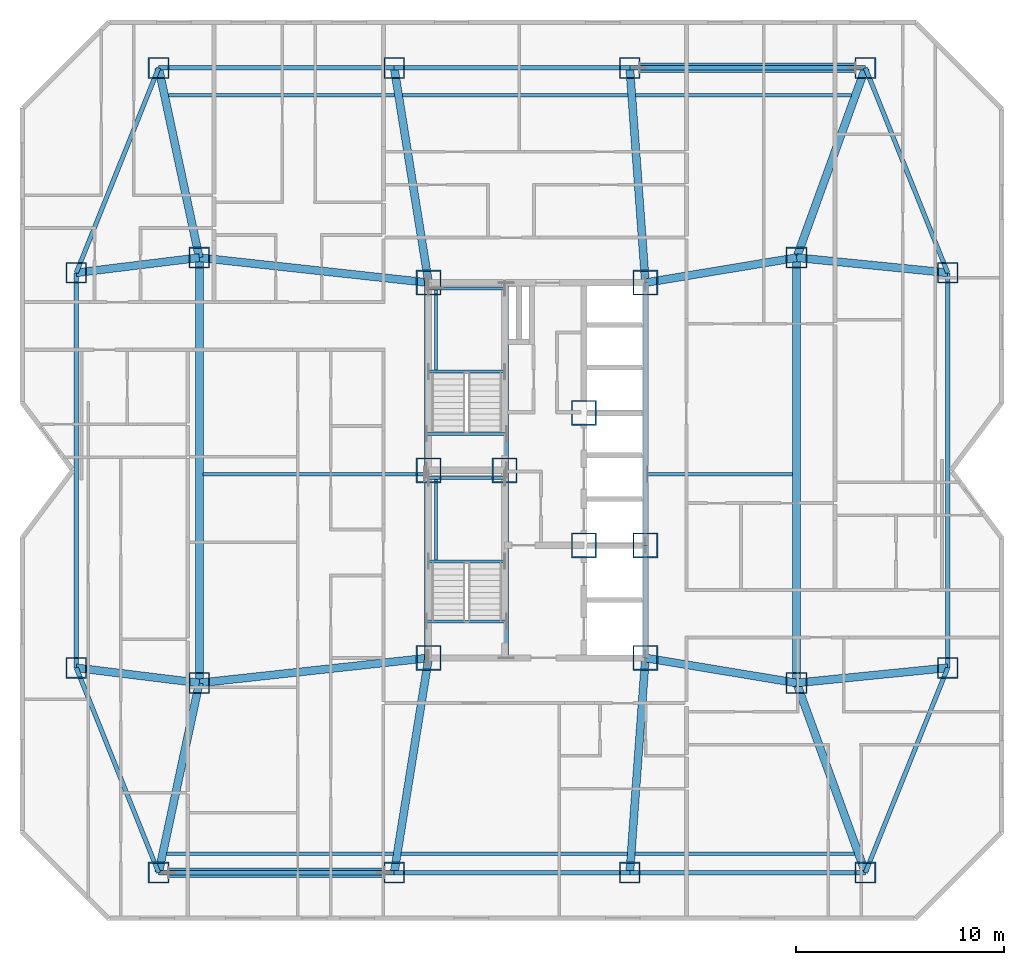
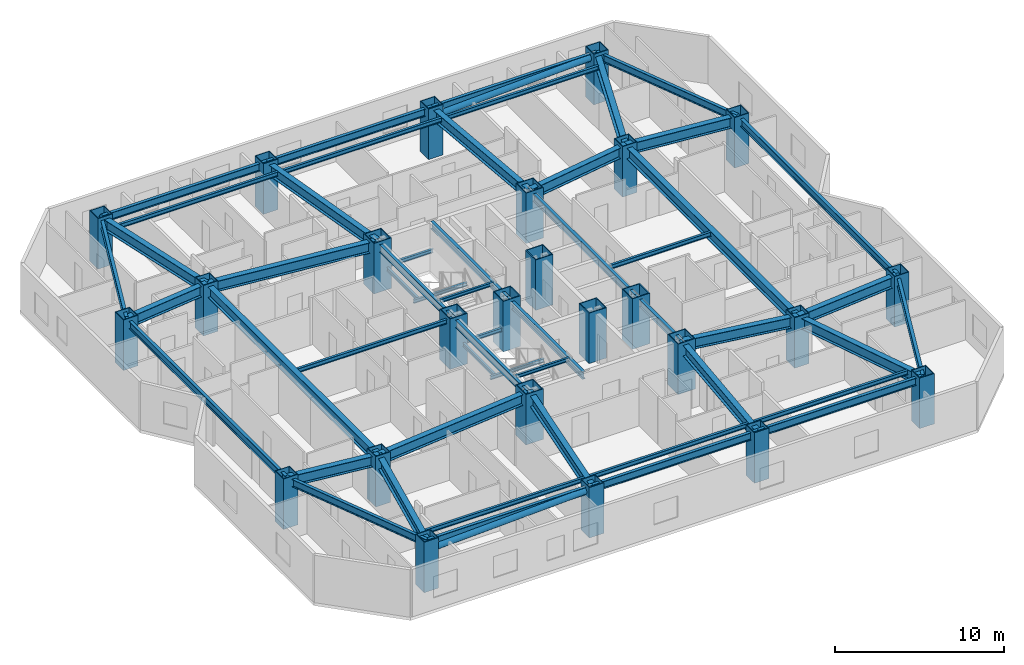
# One storey, part 1 of 12: 52 beams, 25 columns, 2 members.
"""IFC4 building model written with IfcOpenShell, lengths in metres."""

from ifc_helpers import new_model, si_unit, direction, frame, origin, origin_2d, place, context, subcontext, project, spatial, hollow_rectangle, hollow_circle, i_section, extrude, material, material_profile, profile_set, type_object, element, save


model = new_model("IFC4")

# Units and contexts
model_context = context("Model", 3, precision=1e-05, world=origin(), true_north=direction((0.0, 1.0)))
body_context = subcontext(model_context, "Body", "Model", "MODEL_VIEW")
ifc_project = project(units=[si_unit("LENGTHUNIT", "METRE"), si_unit("AREAUNIT", "SQUARE_METRE"), si_unit("VOLUMEUNIT", "CUBIC_METRE"), si_unit("PLANEANGLEUNIT", "RADIAN"), si_unit("MASSUNIT", "GRAM", prefix="KILO")], contexts=[model_context])

# Site, building, storey
site_placement = place(None, origin())
site = spatial("IfcSite", under=ifc_project, at=site_placement, CompositionType="ELEMENT")
building_placement = place(site_placement, origin())
building = spatial("IfcBuilding", under=site, at=building_placement, Name="Khamvora Tower", CompositionType="ELEMENT")
storey_placement = place(building_placement, frame((0.0, 0.0, 127.449951171875)))
storey = spatial("IfcBuildingStorey", under=building, at=storey_placement, Name="L32", CompositionType="ELEMENT", Elevation=127.449951171875)

# Columns
ifc_material_1 = material(Name="Steel S355", Category="steel")
ifc_material_profile_1 = material_profile(ifc_material_1, hollow_rectangle(XDim=1.0, YDim=1.0, WallThickness=0.050048828125, at=origin_2d()), Name="BOX1000x1000x50")
ifc_profile_set_1 = profile_set([ifc_material_profile_1], Name="Steel S355")
column_type_1 = type_object("IfcColumnType", Name="COL-BOX1000", PredefinedType="COLUMN", material=ifc_profile_set_1)
for number, where, z_axis, x_axis, name in (
    (1, (16.050048828125, 8.699951171875, 0.0), (0.0, 0.0, 1.0), (1.0, 0.0, 0.0), "L32 structural frame column S1"),
    (2, (27.35009765625, 8.699951171875, 0.0), (0.0, 0.0, 1.0), (1.0, 0.0, 0.0), "L32 structural frame column S2"),
    (3, (38.64990234375, 8.699951171875, 0.0), (0.0, 0.0, 1.0), (1.0, 0.0, 0.0), "L32 structural frame column S3"),
    (4, (49.949951171875, 8.699951171875, 0.0), (0.0, 0.0, 1.0), (1.0, 0.0, 0.0), "L32 structural frame column S4"),
    (5, (16.050048828125, 47.300048828125, 0.0), (0.0, 0.0, 1.0), (1.0, 0.0, 0.0), "L32 structural frame column N1"),
    (6, (27.35009765625, 47.300048828125, 0.0), (0.0, 0.0, 1.0), (1.0, 0.0, 0.0), "L32 structural frame column N2"),
    (7, (38.64990234375, 47.300048828125, 0.0), (0.0, 0.0, 1.0), (1.0, 0.0, 0.0), "L32 structural frame column N3"),
    (8, (49.949951171875, 47.300048828125, 0.0), (0.0, 0.0, 1.0), (1.0, 0.0, 0.0), "L32 structural frame column N4"),
    (9, (12.10009765625, 18.52490234375, 0.0), (0.0, 0.0, 1.0), (1.0, 0.0, 0.0), "L32 structural frame column W1"),
    (10, (12.10009765625, 37.47509765625, 0.0), (0.0, 0.0, 1.0), (1.0, 0.0, 0.0), "L32 structural frame column W2"),
    (11, (53.89990234375, 18.52490234375, 0.0), (0.0, 0.0, 1.0), (1.0, 0.0, 0.0), "L32 structural frame column E1"),
    (12, (53.89990234375, 37.47509765625, 0.0), (0.0, 0.0, 1.0), (1.0, 0.0, 0.0), "L32 structural frame column E2"),
    (13, (18.0, 17.800048828125, 0.0), (0.0, 0.0, 1.0), (1.0, 0.0, 0.0), "L32 structural frame column MW1"),
    (14, (18.0, 38.199951171875, 0.0), (0.0, 0.0, 1.0), (1.0, 0.0, 0.0), "L32 structural frame column MW2"),
    (15, (46.64990234375, 17.800048828125, 0.0), (0.0, 0.0, 1.0), (1.0, 0.0, 0.0), "L32 structural frame column M1"),
    (16, (46.64990234375, 38.199951171875, 0.0), (0.0, 0.0, 1.0), (1.0, 0.0, 0.0), "L32 structural frame column M2"),
):
    element("IfcColumn", number, at=place(storey_placement, frame(where, z_axis=z_axis, x_axis=x_axis)), inside=storey, type_object=column_type_1, Name=name, PredefinedType="COLUMN", context=body_context, shape_type="SweptSolid", body=[
        extrude(hollow_rectangle(XDim=1.0, YDim=1.0, WallThickness=0.050048828125, at=origin_2d()), origin(), (0.0, 0.0, 1.0), 3.650146484375),
    ])
ifc_material_2 = material(Name="Steel S460", Category="steel")
ifc_material_profile_2 = material_profile(ifc_material_2, hollow_rectangle(XDim=1.199951171875, YDim=1.199951171875, WallThickness=0.06005859375, at=origin_2d()), Name="BOX1200x1200x60")
ifc_profile_set_2 = profile_set([ifc_material_profile_2], Name="Steel S460")
column_type_2 = type_object("IfcColumnType", Name="COL-BOX1200", PredefinedType="COLUMN", material=ifc_profile_set_2)
for number, where, z_axis, x_axis, name in (
    (17, (29.0, 19.0, 0.0), (0.0, 0.0, 1.0), (1.0, 0.0, 0.0), "L32 plumb core spine column SC1"),
    (18, (32.64990234375, 28.0, 0.0), (0.0, 0.0, 1.0), (1.0, 0.0, 0.0), "L32 plumb core spine column SC2"),
    (19, (39.39990234375, 19.0, 0.0), (0.0, 0.0, 1.0), (1.0, 0.0, 0.0), "L32 plumb core spine column SC3"),
    (20, (29.0, 28.0, 0.0), (0.0, 0.0, 1.0), (1.0, 0.0, 0.0), "L32 plumb core spine column SC4"),
    (21, (36.449951171875, 24.39990234375, 0.0), (0.0, 0.0, 1.0), (1.0, 0.0, 0.0), "L32 plumb core spine column SC5"),
    (22, (39.39990234375, 24.39990234375, 0.0), (0.0, 0.0, 1.0), (1.0, 0.0, 0.0), "L32 plumb core spine column SC6"),
    (23, (29.0, 37.0, 0.0), (0.0, 0.0, 1.0), (1.0, 0.0, 0.0), "L32 plumb core spine column SC7"),
    (24, (36.449951171875, 30.75, 0.0), (0.0, 0.0, 1.0), (1.0, 0.0, 0.0), "L32 plumb core spine column SC8"),
    (25, (39.39990234375, 37.0, 0.0), (0.0, 0.0, 1.0), (1.0, 0.0, 0.0), "L32 plumb core spine column SC9"),
):
    element("IfcColumn", number, at=place(storey_placement, frame(where, z_axis=z_axis, x_axis=x_axis)), inside=storey, type_object=column_type_2, Name=name, PredefinedType="COLUMN", context=body_context, shape_type="SweptSolid", body=[
        extrude(hollow_rectangle(XDim=1.199951171875, YDim=1.199951171875, WallThickness=0.06005859375, at=origin_2d()), origin(), (0.0, 0.0, 1.0), 3.650146484375),
    ])

# Beams
ifc_material_profile_3 = material_profile(ifc_material_1, i_section(OverallWidth=0.166015625, OverallDepth=0.31298828125, WebThickness=0.007080078125, FlangeThickness=0.010986328125, FilletRadius=0.010009765625, at=origin_2d()), Name="W310x45")
ifc_profile_set_3 = profile_set([ifc_material_profile_3], Name="Steel S355")
beam_type_1 = type_object("IfcBeamType", Name="BM-JS-W310x45", PredefinedType="JOIST", material=ifc_profile_set_3)
beam_1_placement = place(storey_placement, frame((16.43310546875, 9.60009765625, 3.274169921875), z_axis=(1.0, 0.0, 0.0), x_axis=(0.0, 1.0, 0.0)))
element("IfcBeam", 26, at=beam_1_placement, inside=storey, type_object=beam_type_1, Name="L32 secondary floor joist 01", PredefinedType="JOIST", context=body_context, shape_type="SweptSolid", body=[
    extrude(i_section(OverallWidth=0.166015625, OverallDepth=0.31298828125, WebThickness=0.007080078125, FlangeThickness=0.010986328125, FilletRadius=0.010009765625, at=origin_2d()), origin(), (0.0, 0.0, 1.0), 10.872802734375),
])
beam_2_placement = place(storey_placement, frame((27.681884765625, 9.60009765625, 3.274169921875), z_axis=(1.0, 0.0, 0.0), x_axis=(0.0, 1.0, 0.0)))
element("IfcBeam", 27, at=beam_2_placement, inside=storey, type_object=beam_type_1, Name="L32 secondary floor joist 02", PredefinedType="JOIST", context=body_context, shape_type="SweptSolid", body=[
    extrude(i_section(OverallWidth=0.166015625, OverallDepth=0.31298828125, WebThickness=0.007080078125, FlangeThickness=0.010986328125, FilletRadius=0.010009765625, at=origin_2d()), origin(), (0.0, 0.0, 1.0), 10.84814453125),
])
beam_3_placement = place(storey_placement, frame((38.902099609375, 9.60009765625, 3.274169921875), z_axis=(1.0, 0.0, 0.0), x_axis=(0.0, 1.0, 0.0)))
element("IfcBeam", 28, at=beam_3_placement, inside=storey, type_object=beam_type_1, Name="L32 secondary floor joist 03", PredefinedType="JOIST", context=body_context, shape_type="SweptSolid", body=[
    extrude(i_section(OverallWidth=0.166015625, OverallDepth=0.31298828125, WebThickness=0.007080078125, FlangeThickness=0.010986328125, FilletRadius=0.010009765625, at=origin_2d()), origin(), (0.0, 0.0, 1.0), 10.52392578125),
])
beam_4_placement = place(storey_placement, frame((18.18603515625, 27.800048828125, 3.274169921875), z_axis=(1.0, 0.0, 0.0), x_axis=(0.0, 1.0, 0.0)))
element("IfcBeam", 29, at=beam_4_placement, inside=storey, type_object=beam_type_1, Name="L32 secondary floor joist 04", PredefinedType="JOIST", context=body_context, shape_type="SweptSolid", body=[
    extrude(i_section(OverallWidth=0.166015625, OverallDepth=0.31298828125, WebThickness=0.007080078125, FlangeThickness=0.010986328125, FilletRadius=0.010009765625, at=origin_2d()), origin(), (0.0, 0.0, 1.0), 10.614013671875),
])
beam_5_placement = place(storey_placement, frame((39.4990234375, 27.800048828125, 3.274169921875), z_axis=(1.0, 0.0, 0.0), x_axis=(0.0, 1.0, 0.0)))
element("IfcBeam", 30, at=beam_5_placement, inside=storey, type_object=beam_type_1, Name="L32 secondary floor joist 05", PredefinedType="JOIST", context=body_context, shape_type="SweptSolid", body=[
    extrude(i_section(OverallWidth=0.166015625, OverallDepth=0.31298828125, WebThickness=0.007080078125, FlangeThickness=0.010986328125, FilletRadius=0.010009765625, at=origin_2d()), origin(), (0.0, 0.0, 1.0), 6.966064453125),
])
beam_6_placement = place(storey_placement, frame((16.51806640625, 46.0, 3.274169921875), z_axis=(1.0, 0.0, 0.0), x_axis=(0.0, 1.0, 0.0)))
element("IfcBeam", 31, at=beam_6_placement, inside=storey, type_object=beam_type_1, Name="L32 secondary floor joist 06", PredefinedType="JOIST", context=body_context, shape_type="SweptSolid", body=[
    extrude(i_section(OverallWidth=0.166015625, OverallDepth=0.31298828125, WebThickness=0.007080078125, FlangeThickness=0.010986328125, FilletRadius=0.010009765625, at=origin_2d()), origin(), (0.0, 0.0, 1.0), 10.85205078125),
])
beam_7_placement = place(storey_placement, frame((27.74609375, 46.0, 3.274169921875), z_axis=(1.0, 0.0, 0.0), x_axis=(0.0, 1.0, 0.0)))
element("IfcBeam", 32, at=beam_7_placement, inside=storey, type_object=beam_type_1, Name="L32 secondary floor joist 07", PredefinedType="JOIST", context=body_context, shape_type="SweptSolid", body=[
    extrude(i_section(OverallWidth=0.166015625, OverallDepth=0.31298828125, WebThickness=0.007080078125, FlangeThickness=0.010986328125, FilletRadius=0.010009765625, at=origin_2d()), origin(), (0.0, 0.0, 1.0), 10.81298828125),
])
beam_8_placement = place(storey_placement, frame((38.930908203125, 46.0, 3.274169921875), z_axis=(1.0, 0.0, 0.0), x_axis=(0.0, 1.0, 0.0)))
element("IfcBeam", 33, at=beam_8_placement, inside=storey, type_object=beam_type_1, Name="L32 secondary floor joist 08", PredefinedType="JOIST", context=body_context, shape_type="SweptSolid", body=[
    extrude(i_section(OverallWidth=0.166015625, OverallDepth=0.31298828125, WebThickness=0.007080078125, FlangeThickness=0.010986328125, FilletRadius=0.010009765625, at=origin_2d()), origin(), (0.0, 0.0, 1.0), 10.35009765625),
])
ifc_material_profile_4 = material_profile(ifc_material_1, i_section(OverallWidth=0.14697265625, OverallDepth=0.261962890625, WebThickness=0.007080078125, FlangeThickness=0.010986328125, FilletRadius=0.008056640625, at=origin_2d()), Name="W250x39")
ifc_profile_set_4 = profile_set([ifc_material_profile_4], Name="Steel S355")
beam_type_2 = type_object("IfcBeamType", Name="BM-LN-W250x39", PredefinedType="LINTEL", material=ifc_profile_set_4)
for number, where, z_axis, x_axis, name in (
    (34, (29.0, 23.635009765625, 1.494140625), (1.0, 0.0, 0.0), (0.0, 1.0, 0.0), "L32 ST-01 half-landing support beam 1.1"),
    (35, (29.0, 27.6298828125, 1.494140625), (1.0, 0.0, 0.0), (0.0, 1.0, 0.0), "L32 ST-01 half-landing support beam 1.2"),
):
    element("IfcBeam", number, at=place(storey_placement, frame(where, z_axis=z_axis, x_axis=x_axis)), inside=storey, type_object=beam_type_2, Name=name, PredefinedType="LINTEL", context=body_context, shape_type="SweptSolid", body=[
        extrude(i_section(OverallWidth=0.14697265625, OverallDepth=0.261962890625, WebThickness=0.007080078125, FlangeThickness=0.010986328125, FilletRadius=0.008056640625, at=origin_2d()), origin(), (0.0, 0.0, 1.0), 3.64990234375),
    ])
beam_9_placement = place(storey_placement, frame((29.35009765625, 23.635009765625, 1.494140625), z_axis=(0.0, 1.0, 0.0), x_axis=(-1.0, 0.0, 0.0)))
element("IfcBeam", 36, at=beam_9_placement, inside=storey, type_object=beam_type_2, Name="L32 ST-01 half-landing edge stringer 1", PredefinedType="LINTEL", context=body_context, shape_type="SweptSolid", body=[
    extrude(i_section(OverallWidth=0.14697265625, OverallDepth=0.261962890625, WebThickness=0.007080078125, FlangeThickness=0.010986328125, FilletRadius=0.008056640625, at=origin_2d()), origin(), (0.0, 0.0, 1.0), 3.994873046875),
])
for number, where, z_axis, x_axis, name in (
    (37, (29.0, 32.735107421875, 1.494140625), (1.0, 0.0, 0.0), (0.0, 1.0, 0.0), "L32 ST-02 half-landing support beam 1.1"),
    (38, (29.0, 36.72998046875, 1.494140625), (1.0, 0.0, 0.0), (0.0, 1.0, 0.0), "L32 ST-02 half-landing support beam 1.2"),
):
    element("IfcBeam", number, at=place(storey_placement, frame(where, z_axis=z_axis, x_axis=x_axis)), inside=storey, type_object=beam_type_2, Name=name, PredefinedType="LINTEL", context=body_context, shape_type="SweptSolid", body=[
        extrude(i_section(OverallWidth=0.14697265625, OverallDepth=0.261962890625, WebThickness=0.007080078125, FlangeThickness=0.010986328125, FilletRadius=0.008056640625, at=origin_2d()), origin(), (0.0, 0.0, 1.0), 3.64990234375),
    ])
beam_10_placement = place(storey_placement, frame((29.35009765625, 32.735107421875, 1.494140625), z_axis=(0.0, 1.0, 0.0), x_axis=(-1.0, 0.0, 0.0)))
element("IfcBeam", 39, at=beam_10_placement, inside=storey, type_object=beam_type_2, Name="L32 ST-02 half-landing edge stringer 1", PredefinedType="LINTEL", context=body_context, shape_type="SweptSolid", body=[
    extrude(i_section(OverallWidth=0.14697265625, OverallDepth=0.261962890625, WebThickness=0.007080078125, FlangeThickness=0.010986328125, FilletRadius=0.008056640625, at=origin_2d()), origin(), (0.0, 0.0, 1.0), 3.994873046875),
])
for number, where, z_axis, x_axis, name in (
    (40, (28.89990234375, 20.75, 3.303955078125), (1.0, 0.0, 0.0), (0.0, 1.0, 0.0), "L32 exit stair ST-01 landing trimmer beam"),
    (41, (28.89990234375, 29.75, 3.303955078125), (1.0, 0.0, 0.0), (0.0, 1.0, 0.0), "L32 exit stair ST-02 landing trimmer beam"),
):
    element("IfcBeam", number, at=place(storey_placement, frame(where, z_axis=z_axis, x_axis=x_axis)), inside=storey, type_object=beam_type_2, Name=name, PredefinedType="LINTEL", context=body_context, shape_type="SweptSolid", body=[
        extrude(i_section(OverallWidth=0.14697265625, OverallDepth=0.261962890625, WebThickness=0.007080078125, FlangeThickness=0.010986328125, FilletRadius=0.008056640625, at=origin_2d()), origin(), (0.0, 0.0, 1.0), 3.830078125),
    ])
ifc_material_profile_5 = material_profile(ifc_material_1, i_section(OverallWidth=0.381103515625, OverallDepth=0.77294921875, WebThickness=0.01708984375, FlangeThickness=0.027099609375, FilletRadius=0.01806640625, at=origin_2d()), Name="W760x257")
ifc_profile_set_5 = profile_set([ifc_material_profile_5], Name="Steel S355")
beam_type_3 = type_object("IfcBeamType", Name="BM-PG-W760x257", PredefinedType="BEAM", material=ifc_profile_set_5)
for number, where, z_axis, x_axis, name in (
    (42, (46.64990234375, 17.800048828125, 3.04296875), (0.0, 1.0, 0.0), (-1.0, 0.0, 0.0), "L32 longitudinal frame girder M1-M2"),
    (43, (18.0, 17.800048828125, 3.04296875), (0.0, 1.0, 0.0), (-1.0, 0.0, 0.0), "L32 longitudinal frame girder MW1-MW2"),
):
    element("IfcBeam", number, at=place(storey_placement, frame(where, z_axis=z_axis, x_axis=x_axis)), inside=storey, type_object=beam_type_3, Name=name, PredefinedType="BEAM", context=body_context, shape_type="SweptSolid", body=[
        extrude(i_section(OverallWidth=0.381103515625, OverallDepth=0.77294921875, WebThickness=0.01708984375, FlangeThickness=0.027099609375, FilletRadius=0.01806640625, at=origin_2d()), origin(), (0.0, 0.0, 1.0), 20.39990234375),
    ])
beam_11_placement = place(storey_placement, frame((18.0, 17.800048828125, 3.04296875), z_axis=(-0.209521922673, -0.977803949634, 0.0), x_axis=(0.977803949634, -0.209521922673, 0.0)))
element("IfcBeam", 44, at=beam_11_placement, inside=storey, type_object=beam_type_3, Name="L32 primary floor girder S1", PredefinedType="BEAM", context=body_context, shape_type="SweptSolid", body=[
    extrude(i_section(OverallWidth=0.381103515625, OverallDepth=0.77294921875, WebThickness=0.01708984375, FlangeThickness=0.027099609375, FilletRadius=0.01806640625, at=origin_2d()), origin(), (0.0, 0.0, 1.0), 9.306640625),
])
beam_12_placement = place(storey_placement, frame((29.0, 19.0, 3.04296875), z_axis=(-0.158167584066, -0.987412282358, 0.0), x_axis=(0.987412282358, -0.158167584066, 0.0)))
element("IfcBeam", 45, at=beam_12_placement, inside=storey, type_object=beam_type_3, Name="L32 primary floor girder S2", PredefinedType="BEAM", context=body_context, shape_type="SweptSolid", body=[
    extrude(i_section(OverallWidth=0.381103515625, OverallDepth=0.77294921875, WebThickness=0.01708984375, FlangeThickness=0.027099609375, FilletRadius=0.01806640625, at=origin_2d()), origin(), (0.0, 0.0, 1.0), 10.431396484375),
])
beam_13_placement = place(storey_placement, frame((39.39990234375, 19.0, 3.04296875), z_axis=(-0.07262291808, -0.997359469685, 0.0), x_axis=(0.997359469685, -0.07262291808, 0.0)))
element("IfcBeam", 46, at=beam_13_placement, inside=storey, type_object=beam_type_3, Name="L32 primary floor girder S3", PredefinedType="BEAM", context=body_context, shape_type="SweptSolid", body=[
    extrude(i_section(OverallWidth=0.381103515625, OverallDepth=0.77294921875, WebThickness=0.01708984375, FlangeThickness=0.027099609375, FilletRadius=0.01806640625, at=origin_2d()), origin(), (0.0, 0.0, 1.0), 10.327392578125),
])
beam_14_placement = place(storey_placement, frame((46.64990234375, 17.800048828125, 3.04296875), z_axis=(0.340914681567, -0.940094239899, 0.0), x_axis=(0.940094239899, 0.340914681567, 0.0)))
element("IfcBeam", 47, at=beam_14_placement, inside=storey, type_object=beam_type_3, Name="L32 primary floor girder S4", PredefinedType="BEAM", context=body_context, shape_type="SweptSolid", body=[
    extrude(i_section(OverallWidth=0.381103515625, OverallDepth=0.77294921875, WebThickness=0.01708984375, FlangeThickness=0.027099609375, FilletRadius=0.01806640625, at=origin_2d()), origin(), (0.0, 0.0, 1.0), 9.679931640625),
])
beam_15_placement = place(storey_placement, frame((18.0, 38.199951171875, 3.04296875), z_axis=(-0.209521922673, 0.977803949634, 0.0), x_axis=(-0.977803949634, -0.209521922673, 0.0)))
element("IfcBeam", 48, at=beam_15_placement, inside=storey, type_object=beam_type_3, Name="L32 primary floor girder N1", PredefinedType="BEAM", context=body_context, shape_type="SweptSolid", body=[
    extrude(i_section(OverallWidth=0.381103515625, OverallDepth=0.77294921875, WebThickness=0.01708984375, FlangeThickness=0.027099609375, FilletRadius=0.01806640625, at=origin_2d()), origin(), (0.0, 0.0, 1.0), 9.306640625),
])
beam_16_placement = place(storey_placement, frame((29.0, 37.0, 3.04296875), z_axis=(-0.158167584066, 0.987412282358, 0.0), x_axis=(-0.987412282358, -0.158167584066, 0.0)))
element("IfcBeam", 49, at=beam_16_placement, inside=storey, type_object=beam_type_3, Name="L32 primary floor girder N2", PredefinedType="BEAM", context=body_context, shape_type="SweptSolid", body=[
    extrude(i_section(OverallWidth=0.381103515625, OverallDepth=0.77294921875, WebThickness=0.01708984375, FlangeThickness=0.027099609375, FilletRadius=0.01806640625, at=origin_2d()), origin(), (0.0, 0.0, 1.0), 10.431396484375),
])
beam_17_placement = place(storey_placement, frame((39.39990234375, 37.0, 3.04296875), z_axis=(-0.07262291808, 0.997359469685, 0.0), x_axis=(-0.997359469685, -0.07262291808, 0.0)))
element("IfcBeam", 50, at=beam_17_placement, inside=storey, type_object=beam_type_3, Name="L32 primary floor girder N3", PredefinedType="BEAM", context=body_context, shape_type="SweptSolid", body=[
    extrude(i_section(OverallWidth=0.381103515625, OverallDepth=0.77294921875, WebThickness=0.01708984375, FlangeThickness=0.027099609375, FilletRadius=0.01806640625, at=origin_2d()), origin(), (0.0, 0.0, 1.0), 10.327392578125),
])
beam_18_placement = place(storey_placement, frame((46.64990234375, 38.199951171875, 3.04296875), z_axis=(0.340914681567, 0.940094239899, 0.0), x_axis=(-0.940094239899, 0.340914681567, 0.0)))
element("IfcBeam", 51, at=beam_18_placement, inside=storey, type_object=beam_type_3, Name="L32 primary floor girder N4", PredefinedType="BEAM", context=body_context, shape_type="SweptSolid", body=[
    extrude(i_section(OverallWidth=0.381103515625, OverallDepth=0.77294921875, WebThickness=0.01708984375, FlangeThickness=0.027099609375, FilletRadius=0.01806640625, at=origin_2d()), origin(), (0.0, 0.0, 1.0), 9.679931640625),
])
for number, where, z_axis, x_axis, name in (
    (52, (18.0, 17.800048828125, 3.04296875), (-0.992537264608, 0.12194170068, 0.0), (-0.12194170068, -0.992537264608, 0.0), "L32 primary floor girder W1"),
    (53, (18.0, 38.199951171875, 3.04296875), (-0.992537264608, -0.12194170068, 0.0), (0.12194170068, -0.992537264608, 0.0), "L32 primary floor girder W2"),
):
    element("IfcBeam", number, at=place(storey_placement, frame(where, z_axis=z_axis, x_axis=x_axis)), inside=storey, type_object=beam_type_3, Name=name, PredefinedType="BEAM", context=body_context, shape_type="SweptSolid", body=[
        extrude(i_section(OverallWidth=0.381103515625, OverallDepth=0.77294921875, WebThickness=0.01708984375, FlangeThickness=0.027099609375, FilletRadius=0.01806640625, at=origin_2d()), origin(), (0.0, 0.0, 1.0), 5.9443359375),
    ])
for number, where, z_axis, x_axis, name in (
    (54, (46.64990234375, 17.800048828125, 3.04296875), (0.995039180556, 0.099483813546, 0.0), (-0.099483813546, 0.995039180556, 0.0), "L32 primary floor girder E1"),
    (55, (46.64990234375, 38.199951171875, 3.04296875), (0.995039180556, -0.099483813546, 0.0), (0.099483813546, 0.995039180556, 0.0), "L32 primary floor girder E2"),
):
    element("IfcBeam", number, at=place(storey_placement, frame(where, z_axis=z_axis, x_axis=x_axis)), inside=storey, type_object=beam_type_3, Name=name, PredefinedType="BEAM", context=body_context, shape_type="SweptSolid", body=[
        extrude(i_section(OverallWidth=0.381103515625, OverallDepth=0.77294921875, WebThickness=0.01708984375, FlangeThickness=0.027099609375, FilletRadius=0.01806640625, at=origin_2d()), origin(), (0.0, 0.0, 1.0), 7.2861328125),
    ])
for number, where, z_axis, x_axis, name in (
    (56, (29.0, 19.0, 3.04296875), (-0.994102652327, -0.108443149329, 0.0), (0.108443149329, -0.994102652327, 0.0), "L32 primary floor girder MW1"),
    (57, (29.0, 37.0, 3.04296875), (-0.994102652327, 0.108443149329, 0.0), (-0.108443149329, -0.994102652327, 0.0), "L32 primary floor girder MW2"),
):
    element("IfcBeam", number, at=place(storey_placement, frame(where, z_axis=z_axis, x_axis=x_axis)), inside=storey, type_object=beam_type_3, Name=name, PredefinedType="BEAM", context=body_context, shape_type="SweptSolid", body=[
        extrude(i_section(OverallWidth=0.381103515625, OverallDepth=0.77294921875, WebThickness=0.01708984375, FlangeThickness=0.027099609375, FilletRadius=0.01806640625, at=origin_2d()), origin(), (0.0, 0.0, 1.0), 11.065185546875),
    ])
for number, where, z_axis, x_axis, name in (
    (58, (39.39990234375, 19.0, 3.04296875), (0.986578268552, -0.163289068896, 0.0), (0.163289068896, 0.986578268552, 0.0), "L32 primary floor girder M1"),
    (59, (39.39990234375, 37.0, 3.04296875), (0.986578268552, 0.163289068896, 0.0), (-0.163289068896, 0.986578268552, 0.0), "L32 primary floor girder M2"),
):
    element("IfcBeam", number, at=place(storey_placement, frame(where, z_axis=z_axis, x_axis=x_axis)), inside=storey, type_object=beam_type_3, Name=name, PredefinedType="BEAM", context=body_context, shape_type="SweptSolid", body=[
        extrude(i_section(OverallWidth=0.381103515625, OverallDepth=0.77294921875, WebThickness=0.01708984375, FlangeThickness=0.027099609375, FilletRadius=0.01806640625, at=origin_2d()), origin(), (0.0, 0.0, 1.0), 7.3486328125),
    ])
ifc_material_profile_6 = material_profile(ifc_material_1, i_section(OverallWidth=0.2119140625, OverallDepth=0.5439453125, WebThickness=0.012939453125, FlangeThickness=0.02099609375, FilletRadius=0.013916015625, at=origin_2d()), Name="W530x123")
ifc_profile_set_6 = profile_set([ifc_material_profile_6], Name="Steel S355")
beam_type_4 = type_object("IfcBeamType", Name="BM-SP-W530x123", PredefinedType="SPANDREL", material=ifc_profile_set_6)
beam_19_placement = place(storey_placement, frame((12.10009765625, 18.52490234375, 3.157958984375), z_axis=(0.373015921536, -0.927824941614, 0.0), x_axis=(0.927824941614, 0.373015921536, 0.0)))
element("IfcBeam", 60, at=beam_19_placement, inside=storey, type_object=beam_type_4, Name="L32 perimeter spandrel beam W1-S1", PredefinedType="SPANDREL", context=body_context, shape_type="SweptSolid", body=[
    extrude(i_section(OverallWidth=0.2119140625, OverallDepth=0.5439453125, WebThickness=0.012939453125, FlangeThickness=0.02099609375, FilletRadius=0.013916015625, at=origin_2d()), origin(), (0.0, 0.0, 1.0), 10.589111328125),
])
beam_20_placement = place(storey_placement, frame((16.050048828125, 8.699951171875, 3.157958984375), z_axis=(1.0, 0.0, 0.0), x_axis=(0.0, 1.0, 0.0)))
element("IfcBeam", 61, at=beam_20_placement, inside=storey, type_object=beam_type_4, Name="L32 perimeter spandrel beam S1-S2", PredefinedType="SPANDREL", context=body_context, shape_type="SweptSolid", body=[
    extrude(i_section(OverallWidth=0.2119140625, OverallDepth=0.5439453125, WebThickness=0.012939453125, FlangeThickness=0.02099609375, FilletRadius=0.013916015625, at=origin_2d()), origin(), (0.0, 0.0, 1.0), 11.300048828125),
])
beam_21_placement = place(storey_placement, frame((27.35009765625, 8.699951171875, 3.157958984375), z_axis=(1.0, 0.0, 0.0), x_axis=(0.0, 1.0, 0.0)))
element("IfcBeam", 62, at=beam_21_placement, inside=storey, type_object=beam_type_4, Name="L32 perimeter spandrel beam S2-S3", PredefinedType="SPANDREL", context=body_context, shape_type="SweptSolid", body=[
    extrude(i_section(OverallWidth=0.2119140625, OverallDepth=0.5439453125, WebThickness=0.012939453125, FlangeThickness=0.02099609375, FilletRadius=0.013916015625, at=origin_2d()), origin(), (0.0, 0.0, 1.0), 11.2998046875),
])
beam_22_placement = place(storey_placement, frame((38.64990234375, 8.699951171875, 3.157958984375), z_axis=(1.0, 0.0, 0.0), x_axis=(0.0, 1.0, 0.0)))
element("IfcBeam", 63, at=beam_22_placement, inside=storey, type_object=beam_type_4, Name="L32 perimeter spandrel beam S3-S4", PredefinedType="SPANDREL", context=body_context, shape_type="SweptSolid", body=[
    extrude(i_section(OverallWidth=0.2119140625, OverallDepth=0.5439453125, WebThickness=0.012939453125, FlangeThickness=0.02099609375, FilletRadius=0.013916015625, at=origin_2d()), origin(), (0.0, 0.0, 1.0), 11.300048828125),
])
beam_23_placement = place(storey_placement, frame((49.949951171875, 8.699951171875, 3.157958984375), z_axis=(0.373015921536, 0.927824941614, 0.0), x_axis=(-0.927824941614, 0.373015921536, 0.0)))
element("IfcBeam", 64, at=beam_23_placement, inside=storey, type_object=beam_type_4, Name="L32 perimeter spandrel beam S4-E1", PredefinedType="SPANDREL", context=body_context, shape_type="SweptSolid", body=[
    extrude(i_section(OverallWidth=0.2119140625, OverallDepth=0.5439453125, WebThickness=0.012939453125, FlangeThickness=0.02099609375, FilletRadius=0.013916015625, at=origin_2d()), origin(), (0.0, 0.0, 1.0), 10.589111328125),
])
beam_24_placement = place(storey_placement, frame((53.89990234375, 18.52490234375, 3.157958984375), z_axis=(0.0, 1.0, 0.0), x_axis=(-1.0, 0.0, 0.0)))
element("IfcBeam", 65, at=beam_24_placement, inside=storey, type_object=beam_type_4, Name="L32 perimeter spandrel beam E1-E2", PredefinedType="SPANDREL", context=body_context, shape_type="SweptSolid", body=[
    extrude(i_section(OverallWidth=0.2119140625, OverallDepth=0.5439453125, WebThickness=0.012939453125, FlangeThickness=0.02099609375, FilletRadius=0.013916015625, at=origin_2d()), origin(), (0.0, 0.0, 1.0), 18.9501953125),
])
beam_25_placement = place(storey_placement, frame((53.89990234375, 37.47509765625, 3.157958984375), z_axis=(-0.373015921536, 0.927824941614, 0.0), x_axis=(-0.927824941614, -0.373015921536, 0.0)))
element("IfcBeam", 66, at=beam_25_placement, inside=storey, type_object=beam_type_4, Name="L32 perimeter spandrel beam E2-N4", PredefinedType="SPANDREL", context=body_context, shape_type="SweptSolid", body=[
    extrude(i_section(OverallWidth=0.2119140625, OverallDepth=0.5439453125, WebThickness=0.012939453125, FlangeThickness=0.02099609375, FilletRadius=0.013916015625, at=origin_2d()), origin(), (0.0, 0.0, 1.0), 10.589111328125),
])
beam_26_placement = place(storey_placement, frame((49.949951171875, 47.300048828125, 3.157958984375), z_axis=(-1.0, 0.0, 0.0), x_axis=(0.0, -1.0, 0.0)))
element("IfcBeam", 67, at=beam_26_placement, inside=storey, type_object=beam_type_4, Name="L32 perimeter spandrel beam N4-N3", PredefinedType="SPANDREL", context=body_context, shape_type="SweptSolid", body=[
    extrude(i_section(OverallWidth=0.2119140625, OverallDepth=0.5439453125, WebThickness=0.012939453125, FlangeThickness=0.02099609375, FilletRadius=0.013916015625, at=origin_2d()), origin(), (0.0, 0.0, 1.0), 11.300048828125),
])
beam_27_placement = place(storey_placement, frame((38.64990234375, 47.300048828125, 3.157958984375), z_axis=(-1.0, 0.0, 0.0), x_axis=(0.0, -1.0, 0.0)))
element("IfcBeam", 68, at=beam_27_placement, inside=storey, type_object=beam_type_4, Name="L32 perimeter spandrel beam N3-N2", PredefinedType="SPANDREL", context=body_context, shape_type="SweptSolid", body=[
    extrude(i_section(OverallWidth=0.2119140625, OverallDepth=0.5439453125, WebThickness=0.012939453125, FlangeThickness=0.02099609375, FilletRadius=0.013916015625, at=origin_2d()), origin(), (0.0, 0.0, 1.0), 11.2998046875),
])
beam_28_placement = place(storey_placement, frame((27.35009765625, 47.300048828125, 3.157958984375), z_axis=(-1.0, 0.0, 0.0), x_axis=(0.0, -1.0, 0.0)))
element("IfcBeam", 69, at=beam_28_placement, inside=storey, type_object=beam_type_4, Name="L32 perimeter spandrel beam N2-N1", PredefinedType="SPANDREL", context=body_context, shape_type="SweptSolid", body=[
    extrude(i_section(OverallWidth=0.2119140625, OverallDepth=0.5439453125, WebThickness=0.012939453125, FlangeThickness=0.02099609375, FilletRadius=0.013916015625, at=origin_2d()), origin(), (0.0, 0.0, 1.0), 11.300048828125),
])
beam_29_placement = place(storey_placement, frame((16.050048828125, 47.300048828125, 3.157958984375), z_axis=(-0.373015921536, -0.927824941614, 0.0), x_axis=(0.927824941614, -0.373015921536, 0.0)))
element("IfcBeam", 70, at=beam_29_placement, inside=storey, type_object=beam_type_4, Name="L32 perimeter spandrel beam N1-W2", PredefinedType="SPANDREL", context=body_context, shape_type="SweptSolid", body=[
    extrude(i_section(OverallWidth=0.2119140625, OverallDepth=0.5439453125, WebThickness=0.012939453125, FlangeThickness=0.02099609375, FilletRadius=0.013916015625, at=origin_2d()), origin(), (0.0, 0.0, 1.0), 10.589111328125),
])
beam_30_placement = place(storey_placement, frame((12.10009765625, 37.47509765625, 3.157958984375), z_axis=(0.0, -1.0, 0.0), x_axis=(1.0, 0.0, 0.0)))
element("IfcBeam", 71, at=beam_30_placement, inside=storey, type_object=beam_type_4, Name="L32 perimeter spandrel beam W2-W1", PredefinedType="SPANDREL", context=body_context, shape_type="SweptSolid", body=[
    extrude(i_section(OverallWidth=0.2119140625, OverallDepth=0.5439453125, WebThickness=0.012939453125, FlangeThickness=0.02099609375, FilletRadius=0.013916015625, at=origin_2d()), origin(), (0.0, 0.0, 1.0), 18.9501953125),
])
ifc_material_profile_7 = material_profile(ifc_material_1, i_section(OverallWidth=0.208984375, OverallDepth=0.532958984375, WebThickness=0.010009765625, FlangeThickness=0.01611328125, FilletRadius=0.013916015625, at=origin_2d()), Name="W530x92")
ifc_profile_set_7 = profile_set([ifc_material_profile_7], Name="Steel S355")
beam_type_5 = type_object("IfcBeamType", Name="BM-SP-W530x92", PredefinedType="SPANDREL", material=ifc_profile_set_7)
for number, where, z_axis, x_axis, name in (
    (72, (28.89990234375, 19.0, 3.1630859375), (0.0, 1.0, 0.0), (-1.0, 0.0, 0.0), "L32 core spine girder WS"),
    (73, (28.89990234375, 28.0, 3.1630859375), (0.0, 1.0, 0.0), (-1.0, 0.0, 0.0), "L32 core spine girder WN"),
    (74, (32.72998046875, 19.0, 3.1630859375), (0.0, 1.0, 0.0), (-1.0, 0.0, 0.0), "L32 core spine girder M1S"),
    (75, (32.72998046875, 28.0, 3.1630859375), (0.0, 1.0, 0.0), (-1.0, 0.0, 0.0), "L32 core spine girder M1N"),
):
    element("IfcBeam", number, at=place(storey_placement, frame(where, z_axis=z_axis, x_axis=x_axis)), inside=storey, type_object=beam_type_5, Name=name, PredefinedType="SPANDREL", context=body_context, shape_type="SweptSolid", body=[
        extrude(i_section(OverallWidth=0.208984375, OverallDepth=0.532958984375, WebThickness=0.010009765625, FlangeThickness=0.01611328125, FilletRadius=0.013916015625, at=origin_2d()), origin(), (0.0, 0.0, 1.0), 9.0),
    ])
beam_31_placement = place(storey_placement, frame((39.39990234375, 19.0, 3.1630859375), z_axis=(0.0, 1.0, 0.0), x_axis=(-1.0, 0.0, 0.0)))
element("IfcBeam", 76, at=beam_31_placement, inside=storey, type_object=beam_type_5, Name="L32 core spine girder ES", PredefinedType="SPANDREL", context=body_context, shape_type="SweptSolid", body=[
    extrude(i_section(OverallWidth=0.208984375, OverallDepth=0.532958984375, WebThickness=0.010009765625, FlangeThickness=0.01611328125, FilletRadius=0.013916015625, at=origin_2d()), origin(), (0.0, 0.0, 1.0), 5.39990234375),
])
beam_32_placement = place(storey_placement, frame((39.39990234375, 24.39990234375, 3.1630859375), z_axis=(0.0, 1.0, 0.0), x_axis=(-1.0, 0.0, 0.0)))
element("IfcBeam", 77, at=beam_32_placement, inside=storey, type_object=beam_type_5, Name="L32 core spine girder EN", PredefinedType="SPANDREL", context=body_context, shape_type="SweptSolid", body=[
    extrude(i_section(OverallWidth=0.208984375, OverallDepth=0.532958984375, WebThickness=0.010009765625, FlangeThickness=0.01611328125, FilletRadius=0.013916015625, at=origin_2d()), origin(), (0.0, 0.0, 1.0), 12.60009765625),
])

# Members
ifc_material_profile_8 = material_profile(ifc_material_1, hollow_circle(Radius=0.228515625, WallThickness=0.02001953125, at=origin_2d()), Name="CHS457x20")
ifc_profile_set_8 = profile_set([ifc_material_profile_8], Name="Steel S355")
member_type = type_object("IfcMemberType", Name="MEM-BR-CHS457", PredefinedType="BRACE", material=ifc_profile_set_8)
for number, where, z_axis, x_axis, name in (
    (78, (16.530029296875, 8.699951171875, 2.699951171875), (0.999087057337, 0.0, 0.042720625713), (0.0, 1.0, 0.0), "L32 perimeter wind brace 1"),
    (79, (39.1298828125, 47.300048828125, 2.699951171875), (0.999087057337, 0.0, 0.042720625713), (0.0, 1.0, 0.0), "L32 perimeter wind brace 2"),
):
    element("IfcMember", number, at=place(storey_placement, frame(where, z_axis=z_axis, x_axis=x_axis)), inside=storey, type_object=member_type, Name=name, PredefinedType="BRACE", context=body_context, shape_type="SweptSolid", body=[
        extrude(hollow_circle(Radius=0.228515625, WallThickness=0.02001953125, at=origin_2d()), origin(), (0.0, 0.0, 1.0), 10.349609375),
    ])

save(model, "model.ifc")
